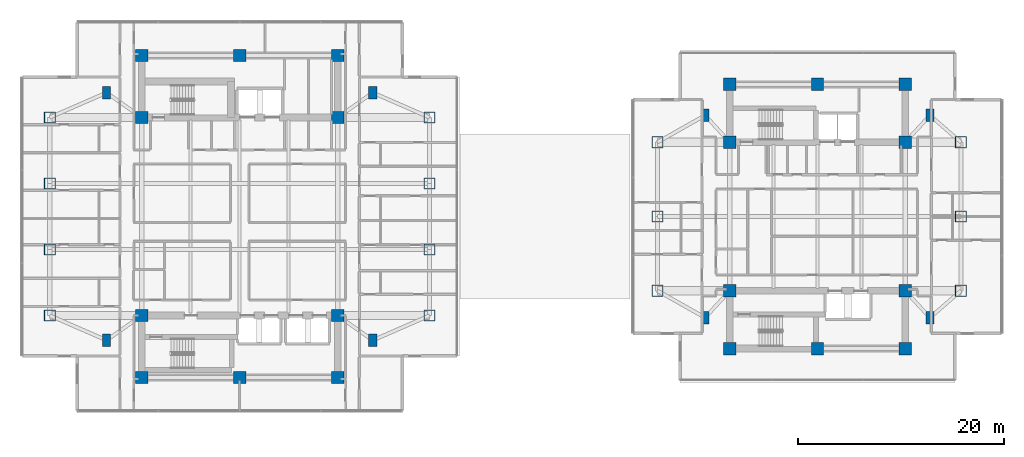
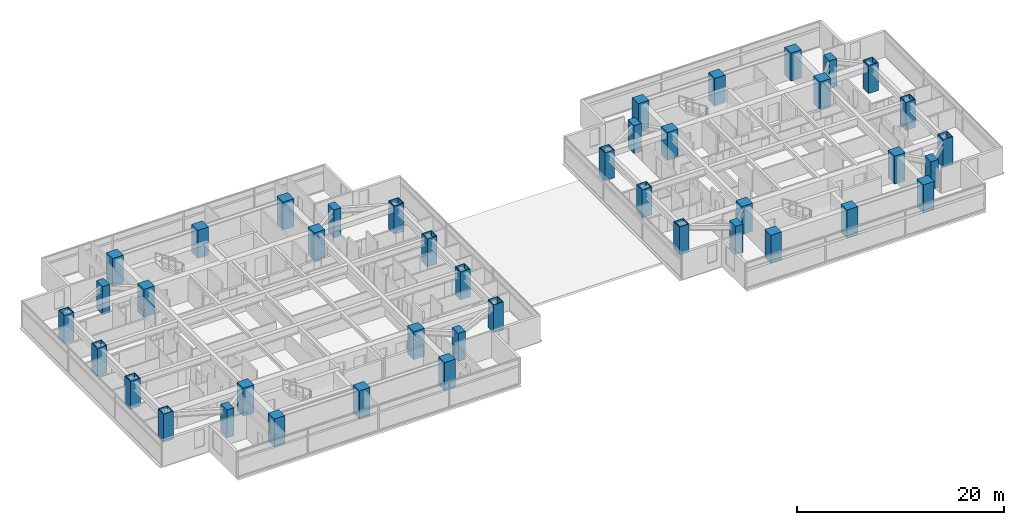
# One storey, part 1 of 26: 42 columns.
"""IFC4 building model written with IfcOpenShell, lengths in metres."""

import ifcopenshell
import ifcopenshell.guid

model = None  # the IFC model being written
_history = None  # IfcOwnerHistory: only IFC2X3 demands one
_inside = {}  # id of a spatial element -> (the spatial element, [elements in it])
_under = {}  # id of a project, library or spatial element -> (it, [spatial elements below it])
_declared = {}  # id of a project -> (the project, [libraries it declares])
_typed = {}  # id of a type object -> (the type object, [elements of that type])
_made_of = {}  # id of a material, layer set ... -> (it, [elements and type objects made of it])


def new_model(schema):
    """Start an empty IFC model of exactly this schema.

    Asked for "IFC4X3", IfcOpenShell would pick the latest addendum, in which some entities
    have other attributes; the version numbers below select the first issue.
    IFC2X3 requires an IfcOwnerHistory on every rooted entity: one is made here for all.
    """
    global model, _history
    if schema == "IFC4X3":
        model = ifcopenshell.file(schema_version=(4, 3, 0, 0))
    else:
        model = ifcopenshell.file(schema=schema)
    _inside.clear()
    _under.clear()
    _declared.clear()
    _typed.clear()
    _made_of.clear()
    _history = None
    if model.schema == "IFC2X3":
        org = make("IfcOrganization", Name="unknown")
        user = make(
            "IfcPersonAndOrganization",
            ThePerson=make("IfcPerson", FamilyName="unknown"),
            TheOrganization=org,
        )
        app = make(
            "IfcApplication",
            ApplicationDeveloper=org,
            Version="unknown",
            ApplicationFullName="unknown",
            ApplicationIdentifier="unknown",
        )
        _history = make(
            "IfcOwnerHistory",
            OwningUser=user,
            OwningApplication=app,
            ChangeAction="ADDED",
            CreationDate=0,
        )
    return model


def make(cls, **values):
    """One entity of the class cls with the attributes given. An attribute that is None is left unset."""
    return model.create_entity(
        cls, **{name: value for name, value in values.items() if value is not None}
    )


def rooted(cls, **values):
    """An entity with a GlobalId (a new one), such as an element, a storey or a relation."""
    return make(cls, GlobalId=ifcopenshell.guid.new(), OwnerHistory=_history, **values)


def si_unit(unit_type, name, prefix=None):
    """IfcSIUnit, for example si_unit("LENGTHUNIT", "METRE", prefix="MILLI")."""
    return make("IfcSIUnit", UnitType=unit_type, Prefix=prefix, Name=name)


def assignment(units):
    """IfcUnitAssignment: the units of a project."""
    return None if units is None else make("IfcUnitAssignment", Units=units)


def point(xyz):
    """IfcCartesianPoint."""
    return None if xyz is None else make("IfcCartesianPoint", Coordinates=xyz)


def direction(xyz):
    """IfcDirection."""
    return None if xyz is None else make("IfcDirection", DirectionRatios=xyz)


def frame(location, z_axis=None, x_axis=None):
    """IfcAxis2Placement3D, a coordinate frame: its origin and axes. An axis left out is left unset."""
    return make(
        "IfcAxis2Placement3D",
        Location=point(location),
        Axis=direction(z_axis),
        RefDirection=direction(x_axis),
    )


def frame_2d(location, x_axis=None):
    """IfcAxis2Placement2D, a coordinate frame in the plane: its origin and x axis."""
    return make(
        "IfcAxis2Placement2D", Location=point(location), RefDirection=direction(x_axis)
    )


def origin():
    """The frame at (0, 0, 0) with its axes left unset."""
    return frame((0.0, 0.0, 0.0))


def origin_2d():
    """The frame at (0, 0) in the plane with its x axis left unset."""
    return frame_2d((0.0, 0.0))


def place(relative_to, where):
    """IfcLocalPlacement: puts the frame where relative to a parent placement (None: the world)."""
    return make(
        "IfcLocalPlacement", PlacementRelTo=relative_to, RelativePlacement=where
    )


def context(
    kind, dimensions, precision=None, world=None, true_north=None, identifier=None
):
    """IfcGeometricRepresentationContext, for example the 3D "Model" context."""
    return make(
        "IfcGeometricRepresentationContext",
        ContextIdentifier=identifier,
        ContextType=kind,
        CoordinateSpaceDimension=dimensions,
        Precision=precision,
        WorldCoordinateSystem=world,
        TrueNorth=true_north,
    )


def subcontext(parent, identifier, kind, view, scale=None):
    """IfcGeometricRepresentationSubContext, for example "Body" below "Model"."""
    return make(
        "IfcGeometricRepresentationSubContext",
        ContextIdentifier=identifier,
        ContextType=kind,
        ParentContext=parent,
        TargetScale=scale,
        TargetView=view,
    )


def project(units=None, contexts=None):
    """IfcProject with its units and contexts."""
    return rooted(
        "IfcProject",
        Name="project",
        RepresentationContexts=contexts,
        UnitsInContext=assignment(units),
    )


def spatial(cls, under=None, at=None, **own):
    """A site, building, storey or space (cls), placed at a placement, below another one or the project."""
    s = rooted(cls, ObjectPlacement=at, **own)
    if under is not None:
        _under.setdefault(under.id(), (under, []))[1].append(s)
    return s


def profile(cls, at=None, kind="AREA", **sizes):
    """A parametric profile (cls). Its sizes go by their IFC names, for example OverallWidth=200.0."""
    return make(cls, ProfileType=kind, Position=at, **sizes)


def rectangle(**sizes):
    """IfcRectangleProfileDef."""
    return profile("IfcRectangleProfileDef", **sizes)


def hollow_rectangle(**sizes):
    """IfcRectangleHollowProfileDef."""
    return profile("IfcRectangleHollowProfileDef", **sizes)


def extrude(swept, where, along, depth):
    """IfcExtrudedAreaSolid: the profile swept, set in the frame where, extruded along a direction by depth."""
    return make(
        "IfcExtrudedAreaSolid",
        SweptArea=swept,
        Position=where,
        ExtrudedDirection=direction(along),
        Depth=depth,
    )


def shape(context_of_items, identifier, shape_type, items):
    """IfcShapeRepresentation: the items that make up one representation, for example the "Body"."""
    return make(
        "IfcShapeRepresentation",
        ContextOfItems=context_of_items,
        RepresentationIdentifier=identifier,
        RepresentationType=shape_type,
        Items=items,
    )


def material(Name=None, Category=None):
    """IfcMaterial."""
    return make("IfcMaterial", Name=Name, Category=Category)


def material_profile(
    of_material, cross_section, Name=None, Category=None, Priority=None
):
    """IfcMaterialProfile: a cross section and its material."""
    return make(
        "IfcMaterialProfile",
        Name=Name,
        Material=of_material,
        Profile=cross_section,
        Priority=Priority,
        Category=Category,
    )


def profile_set(profiles, Name=None, composite=None):
    """IfcMaterialProfileSet."""
    return make(
        "IfcMaterialProfileSet",
        Name=Name,
        MaterialProfiles=profiles,
        CompositeProfile=composite,
    )


def made_of(thing, what):
    """Note that an element or type object is made of a material, layer set ...; save() writes the relation."""
    if what is not None:
        _made_of.setdefault(what.id(), (what, []))[1].append(thing)
    return thing


def type_object(cls, material=None, **own):
    """A type object (cls), such as IfcWallType, which elements share."""
    return made_of(rooted(cls, **own), material)


def element(
    cls,
    number,
    at=None,
    inside=None,
    cuts=None,
    type_object=None,
    material=None,
    context=None,
    identifier="Body",
    shape_type=None,
    held_by="IfcProductDefinitionShape",
    body=None,
    shapes=None,
    **own,
):
    """One element of the class cls, such as IfcWall. Its Tag is "e" and its number.

    at: its placement. inside: the storey or other place that contains it. cuts: it is an
    opening in that element (IfcRelVoidsElement). A single representation is given by context,
    identifier, shape_type and body (its items); several are given by shapes. held_by: the class
    of the entity that holds the representations. save() writes the other relations.
    """
    e = rooted(cls, Tag="e%d" % number, ObjectPlacement=at, **own)
    if body is not None:
        shapes = [shape(context, identifier, shape_type, body)]
    if shapes is not None:
        e.Representation = make(held_by, Representations=shapes)
    if inside is not None:
        _inside.setdefault(inside.id(), (inside, []))[1].append(e)
    if cuts is not None:
        rooted(
            "IfcRelVoidsElement", RelatingBuildingElement=cuts, RelatedOpeningElement=e
        )
    if type_object is not None:
        _typed.setdefault(type_object.id(), (type_object, []))[1].append(e)
    return made_of(e, material)


def aggregate(whole, parts):
    """IfcRelAggregates: a whole, such as a stair, and the parts it consists of."""
    return rooted("IfcRelAggregates", RelatingObject=whole, RelatedObjects=parts)


def save(model, path):
    """Write the relations noted so far, then the file.

    IfcRelAggregates (storeys below a building ...), IfcRelContainedInSpatialStructure (elements
    in a storey), IfcRelDefinesByType, IfcRelAssociatesMaterial and IfcRelDeclares: one each for
    every whole, place, type object, material and project.
    """
    for whole, parts in _under.values():
        aggregate(whole, parts)
    for where, things in _inside.values():
        rooted(
            "IfcRelContainedInSpatialStructure",
            RelatedElements=things,
            RelatingStructure=where,
        )
    for kind, things in _typed.values():
        rooted("IfcRelDefinesByType", RelatedObjects=things, RelatingType=kind)
    for what, things in _made_of.values():
        rooted("IfcRelAssociatesMaterial", RelatedObjects=things, RelatingMaterial=what)
    for by, libraries in _declared.values():
        rooted("IfcRelDeclares", RelatingContext=by, RelatedDefinitions=libraries)
    model.write(path)


model = new_model("IFC4")

# Units and contexts
model_context = context("Model", 3, precision=1e-05, world=origin(), true_north=direction((0.0, 1.0)))
body_context = subcontext(model_context, "Body", "Model", "MODEL_VIEW")
ifc_project = project(units=[si_unit("LENGTHUNIT", "METRE"), si_unit("AREAUNIT", "SQUARE_METRE"), si_unit("VOLUMEUNIT", "CUBIC_METRE"), si_unit("PLANEANGLEUNIT", "RADIAN"), si_unit("MASSUNIT", "GRAM", prefix="KILO")], contexts=[model_context])

# Site, building, storey
site_placement = place(None, origin())
site = spatial("IfcSite", under=ifc_project, at=site_placement, CompositionType="ELEMENT")
building_placement = place(site_placement, origin())
building = spatial("IfcBuilding", under=site, at=building_placement, Name="Mirazonda Arch Towers", CompositionType="ELEMENT")
storey_placement = place(building_placement, frame((0.0, 0.0, 98.300048828125)))
storey = spatial("IfcBuildingStorey", under=building, at=storey_placement, Name="L27", CompositionType="ELEMENT", Elevation=98.300048828125)

# Columns
ifc_material_1 = material(Name="Concrete C50/60", Category="concrete")
ifc_material_profile_1 = material_profile(ifc_material_1, rectangle(XDim=1.199951171875, YDim=1.199951171875, at=origin_2d()), Name="RC1200x1200")
ifc_profile_set_1 = profile_set([ifc_material_profile_1], Name="Concrete C50/60")
column_type_1 = type_object("IfcColumnType", Name="COL-INT-RC1200x1200", PredefinedType="COLUMN", material=ifc_profile_set_1)
for number, where, z_axis, x_axis, name in (
    (1, (11.0, 12.39990234375, 0.0), (0.0, 0.0, 1.0), (1.0, 0.0, 0.0), "L27 T1 Core Column 01"),
    (2, (20.5, 12.39990234375, 0.0), (0.0, 0.0, 1.0), (1.0, 0.0, 0.0), "L27 T1 Core Column 02"),
    (3, (30.0, 12.39990234375, 0.0), (0.0, 0.0, 1.0), (1.0, 0.0, 0.0), "L27 T1 Core Column 03"),
    (4, (11.0, 18.39990234375, 0.0), (0.0, 0.0, 1.0), (1.0, 0.0, 0.0), "L27 T1 Core Column 04"),
    (5, (30.0, 18.39990234375, 0.0), (0.0, 0.0, 1.0), (1.0, 0.0, 0.0), "L27 T1 Core Column 05"),
    (6, (11.0, 37.60009765625, 0.0), (0.0, 0.0, 1.0), (1.0, 0.0, 0.0), "L27 T1 Core Column 06"),
    (7, (30.0, 37.60009765625, 0.0), (0.0, 0.0, 1.0), (1.0, 0.0, 0.0), "L27 T1 Core Column 07"),
    (8, (11.0, 43.60009765625, 0.0), (0.0, 0.0, 1.0), (1.0, 0.0, 0.0), "L27 T1 Core Column 08"),
    (9, (20.5, 43.60009765625, 0.0), (0.0, 0.0, 1.0), (1.0, 0.0, 0.0), "L27 T1 Core Column 09"),
    (10, (30.0, 43.60009765625, 0.0), (0.0, 0.0, 1.0), (1.0, 0.0, 0.0), "L27 T1 Core Column 10"),
    (11, (68.0, 15.199951171875, 0.0), (0.0, 0.0, 1.0), (1.0, 0.0, 0.0), "L27 T2 Core Column 01"),
    (12, (76.5, 15.199951171875, 0.0), (0.0, 0.0, 1.0), (1.0, 0.0, 0.0), "L27 T2 Core Column 02"),
    (13, (85.0, 15.199951171875, 0.0), (0.0, 0.0, 1.0), (1.0, 0.0, 0.0), "L27 T2 Core Column 03"),
    (14, (68.0, 20.800048828125, 0.0), (0.0, 0.0, 1.0), (1.0, 0.0, 0.0), "L27 T2 Core Column 04"),
    (15, (85.0, 20.800048828125, 0.0), (0.0, 0.0, 1.0), (1.0, 0.0, 0.0), "L27 T2 Core Column 05"),
    (16, (68.0, 35.199951171875, 0.0), (0.0, 0.0, 1.0), (1.0, 0.0, 0.0), "L27 T2 Core Column 06"),
    (17, (85.0, 35.199951171875, 0.0), (0.0, 0.0, 1.0), (1.0, 0.0, 0.0), "L27 T2 Core Column 07"),
    (18, (68.0, 40.800048828125, 0.0), (0.0, 0.0, 1.0), (1.0, 0.0, 0.0), "L27 T2 Core Column 08"),
    (19, (76.5, 40.800048828125, 0.0), (0.0, 0.0, 1.0), (1.0, 0.0, 0.0), "L27 T2 Core Column 09"),
    (20, (85.0, 40.800048828125, 0.0), (0.0, 0.0, 1.0), (1.0, 0.0, 0.0), "L27 T2 Core Column 10"),
):
    element("IfcColumn", number, at=place(storey_placement, frame(where, z_axis=z_axis, x_axis=x_axis)), inside=storey, type_object=column_type_1, Name=name, PredefinedType="COLUMN", context=body_context, shape_type="SweptSolid", body=[
        extrude(rectangle(XDim=1.199951171875, YDim=1.199951171875, at=origin_2d()), origin(), (0.0, 0.0, 1.0), 3.300048828125),
    ])
ifc_material_2 = material(Name="Steel ASTM A572 Grade 50", Category="steel")
ifc_material_profile_2 = material_profile(ifc_material_2, hollow_rectangle(XDim=1.10009765625, YDim=1.10009765625, WallThickness=0.06005859375, at=origin_2d()), Name="BOX1100x1100x60")
ifc_profile_set_2 = profile_set([ifc_material_profile_2], Name="Steel ASTM A572 Grade 50")
column_type_2 = type_object("IfcColumnType", Name="MCOL-EXT-BOX1100x1100x60", PredefinedType="COLUMN", material=ifc_profile_set_2)
for number, where, z_axis, x_axis, name in (
    (21, (2.10009765625, 18.39990234375, 0.0), (0.0, 0.0, 1.0), (1.0, 0.0, 0.0), "L27 T1 Composite Mega-Column 01"),
    (22, (2.10009765625, 24.800048828125, 0.0), (0.0, 0.0, 1.0), (1.0, 0.0, 0.0), "L27 T1 Composite Mega-Column 02"),
    (23, (2.10009765625, 31.199951171875, 0.0), (0.0, 0.0, 1.0), (1.0, 0.0, 0.0), "L27 T1 Composite Mega-Column 03"),
    (24, (2.10009765625, 37.60009765625, 0.0), (0.0, 0.0, 1.0), (1.0, 0.0, 0.0), "L27 T1 Composite Mega-Column 04"),
    (25, (38.89990234375, 18.39990234375, 0.0), (0.0, 0.0, 1.0), (1.0, 0.0, 0.0), "L27 T1 Composite Mega-Column 05"),
    (26, (38.89990234375, 24.800048828125, 0.0), (0.0, 0.0, 1.0), (1.0, 0.0, 0.0), "L27 T1 Composite Mega-Column 06"),
    (27, (38.89990234375, 31.199951171875, 0.0), (0.0, 0.0, 1.0), (1.0, 0.0, 0.0), "L27 T1 Composite Mega-Column 07"),
    (28, (38.89990234375, 37.60009765625, 0.0), (0.0, 0.0, 1.0), (1.0, 0.0, 0.0), "L27 T1 Composite Mega-Column 08"),
    (29, (61.0, 20.800048828125, 0.0), (0.0, 0.0, 1.0), (1.0, 0.0, 0.0), "L27 T2 Composite Mega-Column 01"),
    (30, (61.0, 28.0, 0.0), (0.0, 0.0, 1.0), (1.0, 0.0, 0.0), "L27 T2 Composite Mega-Column 02"),
    (31, (61.0, 35.199951171875, 0.0), (0.0, 0.0, 1.0), (1.0, 0.0, 0.0), "L27 T2 Composite Mega-Column 03"),
    (32, (90.39990234375, 20.800048828125, 0.0), (0.0, 0.0, 1.0), (1.0, 0.0, 0.0), "L27 T2 Composite Mega-Column 04"),
    (33, (90.39990234375, 28.0, 0.0), (0.0, 0.0, 1.0), (1.0, 0.0, 0.0), "L27 T2 Composite Mega-Column 05"),
    (34, (90.39990234375, 35.199951171875, 0.0), (0.0, 0.0, 1.0), (1.0, 0.0, 0.0), "L27 T2 Composite Mega-Column 06"),
):
    element("IfcColumn", number, at=place(storey_placement, frame(where, z_axis=z_axis, x_axis=x_axis)), inside=storey, type_object=column_type_2, Name=name, PredefinedType="COLUMN", context=body_context, shape_type="SweptSolid", body=[
        extrude(hollow_rectangle(XDim=1.10009765625, YDim=1.10009765625, WallThickness=0.06005859375, at=origin_2d()), origin(), (0.0, 0.0, 1.0), 3.300048828125),
    ])
ifc_material_3 = material(Name="Concrete C60/75", Category="concrete")
ifc_material_profile_3 = material_profile(ifc_material_3, rectangle(XDim=0.800048828125, YDim=1.199951171875, at=origin_2d()), Name="RC1200x800")
ifc_profile_set_3 = profile_set([ifc_material_profile_3], Name="Concrete C60/75")
column_type_3 = type_object("IfcColumnType", Name="PIL-EXT-RC1200x800", PredefinedType="PILASTER", material=ifc_profile_set_3)
for number, where, z_axis, x_axis, name in (
    (35, (7.60009765625, 16.0, 0.0), (0.0, 0.0, 1.0), (1.0, 0.0, 0.0), "L27 T1 Corner Pilaster 01"),
    (36, (33.39990234375, 16.0, 0.0), (0.0, 0.0, 1.0), (1.0, 0.0, 0.0), "L27 T1 Corner Pilaster 02"),
    (37, (7.60009765625, 40.0, 0.0), (0.0, 0.0, 1.0), (1.0, 0.0, 0.0), "L27 T1 Corner Pilaster 03"),
    (38, (33.39990234375, 40.0, 0.0), (0.0, 0.0, 1.0), (1.0, 0.0, 0.0), "L27 T1 Corner Pilaster 04"),
    (39, (65.60009765625, 18.199951171875, 0.0), (0.0, 0.0, 1.0), (1.0, 0.0, 0.0), "L27 T2 Corner Pilaster 01"),
    (40, (87.39990234375, 18.199951171875, 0.0), (0.0, 0.0, 1.0), (1.0, 0.0, 0.0), "L27 T2 Corner Pilaster 02"),
    (41, (65.60009765625, 37.800048828125, 0.0), (0.0, 0.0, 1.0), (1.0, 0.0, 0.0), "L27 T2 Corner Pilaster 03"),
    (42, (87.39990234375, 37.800048828125, 0.0), (0.0, 0.0, 1.0), (1.0, 0.0, 0.0), "L27 T2 Corner Pilaster 04"),
):
    element("IfcColumn", number, at=place(storey_placement, frame(where, z_axis=z_axis, x_axis=x_axis)), inside=storey, type_object=column_type_3, Name=name, PredefinedType="PILASTER", context=body_context, shape_type="SweptSolid", body=[
        extrude(rectangle(XDim=0.800048828125, YDim=1.199951171875, at=origin_2d()), origin(), (0.0, 0.0, 1.0), 3.300048828125),
    ])

save(model, "model.ifc")
